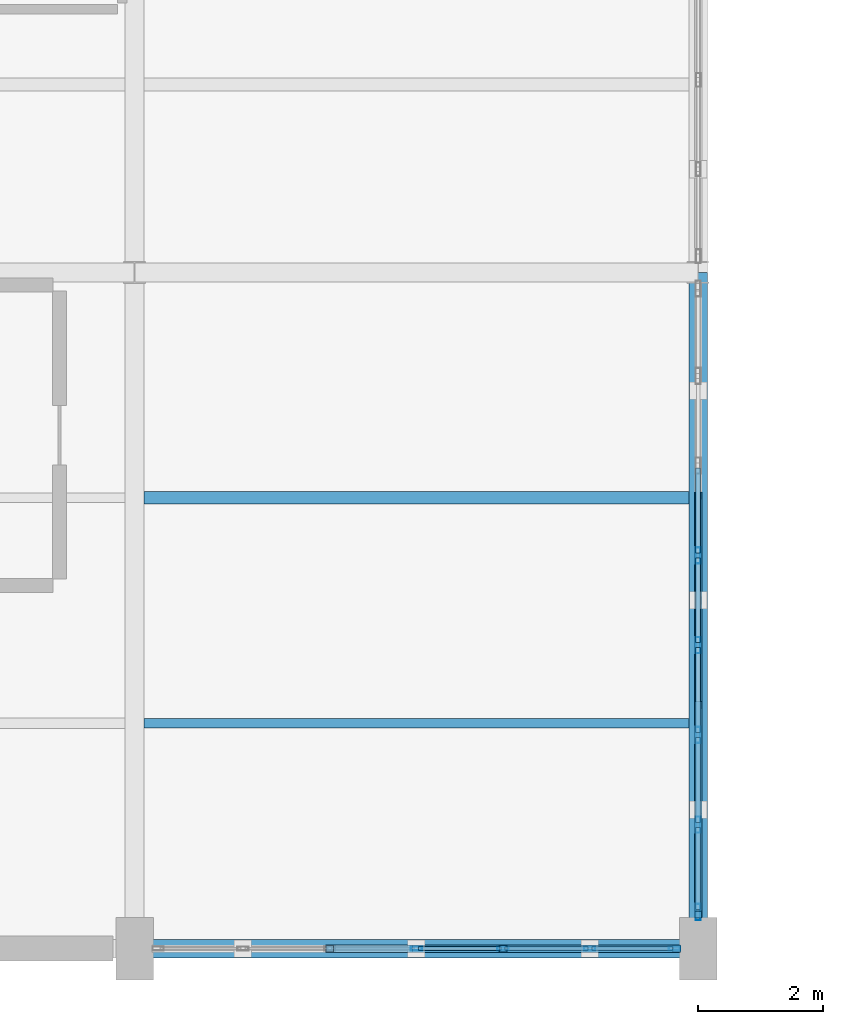
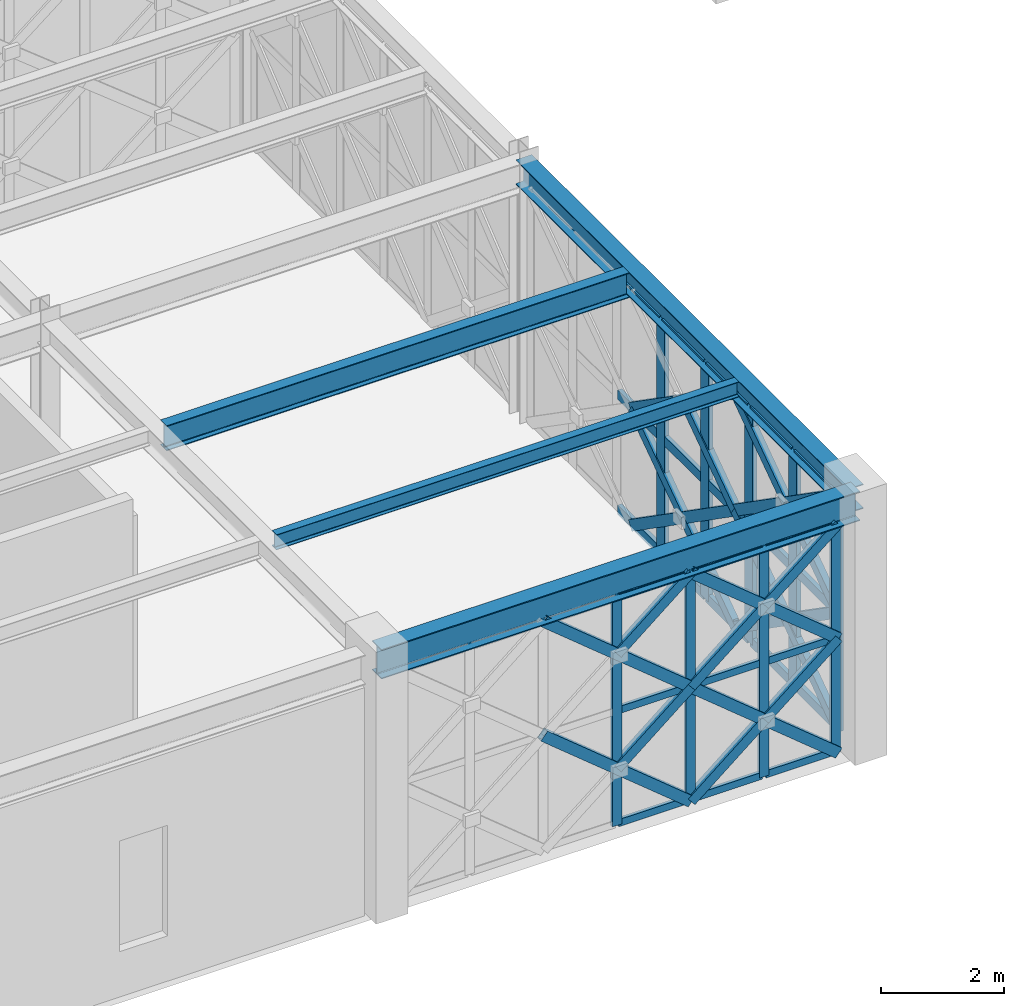
# One storey, part 42 of 166: 54 members, 4 beams, 2 elements without a shape of their own.
"""IFC4 building model written with IfcOpenShell, lengths in metres."""

from ifc_helpers import new_model, si_unit, direction, frame, origin, origin_2d, place, context, subcontext, project, spatial, hollow_rectangle, i_section, extrude, material, material_profile, profile_set, type_object, element, aggregate, save


model = new_model("IFC4")

# Units and contexts
model_context = context("Model", 3, precision=1e-05, world=origin(), true_north=direction((0.0, 1.0)))
body_context = subcontext(model_context, "Body", "Model", "MODEL_VIEW")
ifc_project = project(units=[si_unit("LENGTHUNIT", "METRE"), si_unit("AREAUNIT", "SQUARE_METRE"), si_unit("VOLUMEUNIT", "CUBIC_METRE"), si_unit("PLANEANGLEUNIT", "RADIAN"), si_unit("MASSUNIT", "GRAM", prefix="KILO")], contexts=[model_context])

# Site, building, storey
site_placement = place(None, origin())
site = spatial("IfcSite", under=ifc_project, at=site_placement, CompositionType="ELEMENT")
building_placement = place(site_placement, origin())
building = spatial("IfcBuilding", under=site, at=building_placement, Name="Haizhuo Lancet Aquarium", CompositionType="ELEMENT")
storey_placement = place(building_placement, frame((0.0, 0.0, 5.39990234375)))
storey = spatial("IfcBuildingStorey", under=building, at=storey_placement, Name="L01", CompositionType="ELEMENT", Elevation=5.39990234375)

# Beams
ifc_material_1 = material(Name="Steel S355", Category="steel")
ifc_material_profile_1 = material_profile(ifc_material_1, i_section(OverallWidth=0.300048828125, OverallDepth=0.488037109375, WebThickness=0.010986328125, FlangeThickness=0.01806640625, FilletRadius=0.02392578125, at=origin_2d()), Name="HM 488x300x11x18")
ifc_profile_set_1 = profile_set([ifc_material_profile_1], Name="Steel S355")
beam_type_1 = type_object("IfcBeamType", Name="BM-ST-HM488", PredefinedType="BEAM", material=ifc_profile_set_1)
beam_1_placement = place(storey_placement, frame((18.0, -55.800048828125, 4.89599609375), z_axis=(0.0, 1.0, 0.0), x_axis=(-1.0, 0.0, 0.0)))
element("IfcBeam", 1, at=beam_1_placement, inside=storey, type_object=beam_type_1, Name="L01 V4 primary girder BM-L01-V4-026", PredefinedType="BEAM", context=body_context, shape_type="SweptSolid", body=[
    extrude(i_section(OverallWidth=0.300048828125, OverallDepth=0.488037109375, WebThickness=0.010986328125, FlangeThickness=0.01806640625, FilletRadius=0.02392578125, at=origin_2d()), origin(), (0.0, 0.0, 1.0), 10.800048828125),
])
ifc_material_profile_2 = material_profile(ifc_material_1, i_section(OverallWidth=0.300048828125, OverallDepth=0.587890625, WebThickness=0.011962890625, FlangeThickness=0.02001953125, FilletRadius=0.02587890625, at=origin_2d()), Name="HM 588x300x12x20")
ifc_profile_set_2 = profile_set([ifc_material_profile_2], Name="Steel S355")
beam_type_2 = type_object("IfcBeamType", Name="BM-ST-HM588", PredefinedType="BEAM", material=ifc_profile_set_2)
beam_2_placement = place(storey_placement, frame((9.0, -55.800048828125, 4.84619140625), z_axis=(1.0, 0.0, 0.0), x_axis=(0.0, 1.0, 0.0)))
element("IfcBeam", 2, at=beam_2_placement, inside=storey, type_object=beam_type_2, Name="L01 V4 primary girder BM-L01-V4-021", PredefinedType="BEAM", context=body_context, shape_type="SweptSolid", body=[
    extrude(i_section(OverallWidth=0.300048828125, OverallDepth=0.587890625, WebThickness=0.011962890625, FlangeThickness=0.02001953125, FilletRadius=0.02587890625, at=origin_2d()), origin(), (0.0, 0.0, 1.0), 9.0),
])

# Curtain wall, members
ifc_material_2 = material(Name="Aluminium 6063-T6", Category="aluminium")
curtain_wall_type_1 = type_object("IfcCurtainWallType", Name="CWO-8310x4550", PredefinedType="NOTDEFINED", material=ifc_material_2)
curtain_wall_1_placement = place(storey_placement, origin())
curtain_wall_1 = element("IfcCurtainWall", 3, at=curtain_wall_1_placement, inside=storey, type_object=curtain_wall_type_1, Name="L01 curtain wall CW-V4-L01-097", PredefinedType="NOTDEFINED")
ifc_material_profile_3 = material_profile(ifc_material_2, hollow_rectangle(XDim=0.06494140625, YDim=0.179931640625, WallThickness=0.00390625, at=origin_2d()), Name="ALU-M 65x180x4")
ifc_profile_set_3 = profile_set([ifc_material_profile_3], Name="Aluminium 6063-T6")
member_type_1 = type_object("IfcMemberType", Name="CW-MUL-1", PredefinedType="MULLION", material=ifc_profile_set_3)
member_1_placement = place(storey_placement, frame((17.623046875, -55.800048828125, 0.0), z_axis=(0.0, 0.0, 1.0), x_axis=(0.0, -1.0, 0.0)))
member_1 = element("IfcMember", 4, at=member_1_placement, type_object=member_type_1, Name="CWO-83x45 mullion 1", PredefinedType="MULLION", context=body_context, shape_type="SweptSolid", body=[
    extrude(hollow_rectangle(XDim=0.06494140625, YDim=0.179931640625, WallThickness=0.00390625, at=origin_2d()), origin(), (0.0, 0.0, 1.0), 4.552001953125),
])
member_2_placement = place(storey_placement, frame((16.27001953125, -55.800048828125, 0.0), z_axis=(0.0, 0.0, 1.0), x_axis=(0.0, -1.0, 0.0)))
member_2 = element("IfcMember", 5, at=member_2_placement, type_object=member_type_1, Name="CWO-83x45 mullion 2", PredefinedType="MULLION", context=body_context, shape_type="SweptSolid", body=[
    extrude(hollow_rectangle(XDim=0.06494140625, YDim=0.179931640625, WallThickness=0.00390625, at=origin_2d()), origin(), (0.0, 0.0, 1.0), 4.552001953125),
])
member_3_placement = place(storey_placement, frame((14.885009765625, -55.800048828125, 0.0), z_axis=(0.0, 0.0, 1.0), x_axis=(0.0, -1.0, 0.0)))
member_3 = element("IfcMember", 6, at=member_3_placement, type_object=member_type_1, Name="CWO-83x45 mullion 3", PredefinedType="MULLION", context=body_context, shape_type="SweptSolid", body=[
    extrude(hollow_rectangle(XDim=0.06494140625, YDim=0.179931640625, WallThickness=0.00390625, at=origin_2d()), origin(), (0.0, 0.0, 1.0), 4.552001953125),
])
member_4_placement = place(storey_placement, frame((13.5, -55.800048828125, 0.0), z_axis=(0.0, 0.0, 1.0), x_axis=(0.0, -1.0, 0.0)))
member_4 = element("IfcMember", 7, at=member_4_placement, type_object=member_type_1, Name="CWO-83x45 mullion 4", PredefinedType="MULLION", context=body_context, shape_type="SweptSolid", body=[
    extrude(hollow_rectangle(XDim=0.06494140625, YDim=0.179931640625, WallThickness=0.00390625, at=origin_2d()), origin(), (0.0, 0.0, 1.0), 4.552001953125),
])

curtain_wall_type_2 = type_object("IfcCurtainWallType", Name="CWO-10040x4650", PredefinedType="NOTDEFINED", material=ifc_material_2)
curtain_wall_2_placement = place(storey_placement, origin())
curtain_wall_2 = element("IfcCurtainWall", 8, at=curtain_wall_2_placement, inside=storey, type_object=curtain_wall_type_2, Name="L01 curtain wall CW-V4-L01-096", PredefinedType="NOTDEFINED")
ifc_material_profile_4 = material_profile(ifc_material_2, hollow_rectangle(XDim=0.080078125, YDim=0.260009765625, WallThickness=0.0048828125, at=origin_2d()), Name="ALU-M 80x260x5")
ifc_profile_set_4 = profile_set([ifc_material_profile_4], Name="Aluminium 6063-T6")
member_type_2 = type_object("IfcMemberType", Name="CW-MUL-3", PredefinedType="MULLION", material=ifc_profile_set_4)
member_5_placement = place(storey_placement, frame((18.0, -49.52099609375, 0.0), z_axis=(0.0, 0.0, 1.0), x_axis=(1.0, 0.0, 0.0)))
member_5 = element("IfcMember", 9, at=member_5_placement, type_object=member_type_2, Name="CWO-100x46 mullion 4", PredefinedType="MULLION", context=body_context, shape_type="SweptSolid", body=[
    extrude(hollow_rectangle(XDim=0.080078125, YDim=0.260009765625, WallThickness=0.0048828125, at=origin_2d()), origin(), (0.0, 0.0, 1.0), 4.652099609375),
])
member_6_placement = place(storey_placement, frame((18.0, -50.9541015625, 0.0), z_axis=(0.0, 0.0, 1.0), x_axis=(1.0, 0.0, 0.0)))
member_6 = element("IfcMember", 10, at=member_6_placement, type_object=member_type_2, Name="CWO-100x46 mullion 5", PredefinedType="MULLION", context=body_context, shape_type="SweptSolid", body=[
    extrude(hollow_rectangle(XDim=0.080078125, YDim=0.260009765625, WallThickness=0.0048828125, at=origin_2d()), origin(), (0.0, 0.0, 1.0), 4.652099609375),
])
member_7_placement = place(storey_placement, frame((18.0, -52.387939453125, 0.0), z_axis=(0.0, 0.0, 1.0), x_axis=(1.0, 0.0, 0.0)))
member_7 = element("IfcMember", 11, at=member_7_placement, type_object=member_type_2, Name="CWO-100x46 mullion 6", PredefinedType="MULLION", context=body_context, shape_type="SweptSolid", body=[
    extrude(hollow_rectangle(XDim=0.080078125, YDim=0.260009765625, WallThickness=0.0048828125, at=origin_2d()), origin(), (0.0, 0.0, 1.0), 4.652099609375),
])
member_8_placement = place(storey_placement, frame((18.0, -53.821044921875, 0.0), z_axis=(0.0, 0.0, 1.0), x_axis=(1.0, 0.0, 0.0)))
member_8 = element("IfcMember", 12, at=member_8_placement, type_object=member_type_2, Name="CWO-100x46 mullion 7", PredefinedType="MULLION", context=body_context, shape_type="SweptSolid", body=[
    extrude(hollow_rectangle(XDim=0.080078125, YDim=0.260009765625, WallThickness=0.0048828125, at=origin_2d()), origin(), (0.0, 0.0, 1.0), 4.652099609375),
])
member_9_placement = place(storey_placement, frame((18.0, -55.215087890625, 0.0), z_axis=(0.0, 0.0, 1.0), x_axis=(1.0, 0.0, 0.0)))
member_9 = element("IfcMember", 13, at=member_9_placement, type_object=member_type_2, Name="CWO-100x46 mullion 8", PredefinedType="MULLION", context=body_context, shape_type="SweptSolid", body=[
    extrude(hollow_rectangle(XDim=0.080078125, YDim=0.260009765625, WallThickness=0.0048828125, at=origin_2d()), origin(), (0.0, 0.0, 1.0), 4.652099609375),
])

# Member
ifc_material_profile_5 = material_profile(ifc_material_2, hollow_rectangle(XDim=0.06494140625, YDim=0.139892578125, WallThickness=0.00390625, at=origin_2d()), Name="ALU-T 65x140x4")
ifc_profile_set_5 = profile_set([ifc_material_profile_5], Name="Aluminium 6063-T6")
member_type_3 = type_object("IfcMemberType", Name="CW-TRN-1", PredefinedType="NOTDEFINED", material=ifc_profile_set_5)
member_10_placement = place(storey_placement, frame((17.590087890625, -55.800048828125, 0.033203125), z_axis=(-1.0, 0.0, 0.0), x_axis=(0.0, -1.0, 0.0)))
member_10 = element("IfcMember", 14, at=member_10_placement, type_object=member_type_3, Name="CWO-83x45 transom 1.1", ObjectType="TRANSOM", PredefinedType="USERDEFINED", context=body_context, shape_type="SweptSolid", body=[
    extrude(hollow_rectangle(XDim=0.06494140625, YDim=0.139892578125, WallThickness=0.00390625, at=origin_2d()), origin(), (0.0, 0.0, 1.0), 1.287109375),
])

member_11_placement = place(storey_placement, frame((17.590087890625, -55.800048828125, 2.276123046875), z_axis=(-1.0, 0.0, 0.0), x_axis=(0.0, -1.0, 0.0)))
member_11 = element("IfcMember", 15, at=member_11_placement, type_object=member_type_3, Name="CWO-83x45 transom 1.2", ObjectType="TRANSOM", PredefinedType="USERDEFINED", context=body_context, shape_type="SweptSolid", body=[
    extrude(hollow_rectangle(XDim=0.06494140625, YDim=0.139892578125, WallThickness=0.00390625, at=origin_2d()), origin(), (0.0, 0.0, 1.0), 1.287109375),
])

member_12_placement = place(storey_placement, frame((17.590087890625, -55.800048828125, 4.51904296875), z_axis=(-1.0, 0.0, 0.0), x_axis=(0.0, -1.0, 0.0)))
member_12 = element("IfcMember", 16, at=member_12_placement, type_object=member_type_3, Name="CWO-83x45 transom 1.3", ObjectType="TRANSOM", PredefinedType="USERDEFINED", context=body_context, shape_type="SweptSolid", body=[
    extrude(hollow_rectangle(XDim=0.06494140625, YDim=0.139892578125, WallThickness=0.00390625, at=origin_2d()), origin(), (0.0, 0.0, 1.0), 1.287109375),
])

member_13_placement = place(storey_placement, frame((16.238037109375, -55.800048828125, 0.033203125), z_axis=(-1.0, 0.0, 0.0), x_axis=(0.0, -1.0, 0.0)))
member_13 = element("IfcMember", 17, at=member_13_placement, type_object=member_type_3, Name="CWO-83x45 transom 2.1", ObjectType="TRANSOM", PredefinedType="USERDEFINED", context=body_context, shape_type="SweptSolid", body=[
    extrude(hollow_rectangle(XDim=0.06494140625, YDim=0.139892578125, WallThickness=0.00390625, at=origin_2d()), origin(), (0.0, 0.0, 1.0), 1.320068359375),
])

member_14_placement = place(storey_placement, frame((16.238037109375, -55.800048828125, 2.276123046875), z_axis=(-1.0, 0.0, 0.0), x_axis=(0.0, -1.0, 0.0)))
member_14 = element("IfcMember", 18, at=member_14_placement, type_object=member_type_3, Name="CWO-83x45 transom 2.2", ObjectType="TRANSOM", PredefinedType="USERDEFINED", context=body_context, shape_type="SweptSolid", body=[
    extrude(hollow_rectangle(XDim=0.06494140625, YDim=0.139892578125, WallThickness=0.00390625, at=origin_2d()), origin(), (0.0, 0.0, 1.0), 1.320068359375),
])

member_15_placement = place(storey_placement, frame((16.238037109375, -55.800048828125, 4.51904296875), z_axis=(-1.0, 0.0, 0.0), x_axis=(0.0, -1.0, 0.0)))
member_15 = element("IfcMember", 19, at=member_15_placement, type_object=member_type_3, Name="CWO-83x45 transom 2.3", ObjectType="TRANSOM", PredefinedType="USERDEFINED", context=body_context, shape_type="SweptSolid", body=[
    extrude(hollow_rectangle(XDim=0.06494140625, YDim=0.139892578125, WallThickness=0.00390625, at=origin_2d()), origin(), (0.0, 0.0, 1.0), 1.320068359375),
])

member_16_placement = place(storey_placement, frame((14.85302734375, -55.800048828125, 0.033203125), z_axis=(-1.0, 0.0, 0.0), x_axis=(0.0, -1.0, 0.0)))
member_16 = element("IfcMember", 20, at=member_16_placement, type_object=member_type_3, Name="CWO-83x45 transom 3.1", ObjectType="TRANSOM", PredefinedType="USERDEFINED", context=body_context, shape_type="SweptSolid", body=[
    extrude(hollow_rectangle(XDim=0.06494140625, YDim=0.139892578125, WallThickness=0.00390625, at=origin_2d()), origin(), (0.0, 0.0, 1.0), 1.320068359375),
])

member_17_placement = place(storey_placement, frame((14.85302734375, -55.800048828125, 2.276123046875), z_axis=(-1.0, 0.0, 0.0), x_axis=(0.0, -1.0, 0.0)))
member_17 = element("IfcMember", 21, at=member_17_placement, type_object=member_type_3, Name="CWO-83x45 transom 3.2", ObjectType="TRANSOM", PredefinedType="USERDEFINED", context=body_context, shape_type="SweptSolid", body=[
    extrude(hollow_rectangle(XDim=0.06494140625, YDim=0.139892578125, WallThickness=0.00390625, at=origin_2d()), origin(), (0.0, 0.0, 1.0), 1.320068359375),
])

member_18_placement = place(storey_placement, frame((14.85302734375, -55.800048828125, 4.51904296875), z_axis=(-1.0, 0.0, 0.0), x_axis=(0.0, -1.0, 0.0)))
member_18 = element("IfcMember", 22, at=member_18_placement, type_object=member_type_3, Name="CWO-83x45 transom 3.3", ObjectType="TRANSOM", PredefinedType="USERDEFINED", context=body_context, shape_type="SweptSolid", body=[
    extrude(hollow_rectangle(XDim=0.06494140625, YDim=0.139892578125, WallThickness=0.00390625, at=origin_2d()), origin(), (0.0, 0.0, 1.0), 1.320068359375),
])

aggregate(curtain_wall_1, [member_1, member_2, member_3, member_4, member_10, member_11, member_12, member_13, member_14, member_15, member_16, member_17, member_18])

ifc_material_profile_6 = material_profile(ifc_material_2, hollow_rectangle(XDim=0.080078125, YDim=0.18994140625, WallThickness=0.0048828125, at=origin_2d()), Name="ALU-T 80x190x5")
ifc_profile_set_6 = profile_set([ifc_material_profile_6], Name="Aluminium 6063-T6")
member_type_4 = type_object("IfcMemberType", Name="CW-TRN-3", PredefinedType="NOTDEFINED", material=ifc_profile_set_6)
member_19_placement = place(storey_placement, frame((18.0, -48.126953125, 0.0400390625), z_axis=(0.0, -1.0, 0.0), x_axis=(1.0, 0.0, 0.0)))
member_19 = element("IfcMember", 23, at=member_19_placement, type_object=member_type_4, Name="CWO-100x46 transom 3.1", ObjectType="TRANSOM", PredefinedType="USERDEFINED", context=body_context, shape_type="SweptSolid", body=[
    extrude(hollow_rectangle(XDim=0.080078125, YDim=0.18994140625, WallThickness=0.0048828125, at=origin_2d()), origin(), (0.0, 0.0, 1.0), 1.35400390625),
])

member_20_placement = place(storey_placement, frame((18.0, -48.126953125, 2.326171875), z_axis=(0.0, -1.0, 0.0), x_axis=(1.0, 0.0, 0.0)))
member_20 = element("IfcMember", 24, at=member_20_placement, type_object=member_type_4, Name="CWO-100x46 transom 3.2", ObjectType="TRANSOM", PredefinedType="USERDEFINED", context=body_context, shape_type="SweptSolid", body=[
    extrude(hollow_rectangle(XDim=0.080078125, YDim=0.18994140625, WallThickness=0.0048828125, at=origin_2d()), origin(), (0.0, 0.0, 1.0), 1.35400390625),
])

member_21_placement = place(storey_placement, frame((18.0, -48.126953125, 4.612060546875), z_axis=(0.0, -1.0, 0.0), x_axis=(1.0, 0.0, 0.0)))
member_21 = element("IfcMember", 25, at=member_21_placement, type_object=member_type_4, Name="CWO-100x46 transom 3.3", ObjectType="TRANSOM", PredefinedType="USERDEFINED", context=body_context, shape_type="SweptSolid", body=[
    extrude(hollow_rectangle(XDim=0.080078125, YDim=0.18994140625, WallThickness=0.0048828125, at=origin_2d()), origin(), (0.0, 0.0, 1.0), 1.35400390625),
])

member_22_placement = place(storey_placement, frame((18.0, -49.56103515625, 0.0400390625), z_axis=(0.0, -1.0, 0.0), x_axis=(1.0, 0.0, 0.0)))
member_22 = element("IfcMember", 26, at=member_22_placement, type_object=member_type_4, Name="CWO-100x46 transom 4.1", ObjectType="TRANSOM", PredefinedType="USERDEFINED", context=body_context, shape_type="SweptSolid", body=[
    extrude(hollow_rectangle(XDim=0.080078125, YDim=0.18994140625, WallThickness=0.0048828125, at=origin_2d()), origin(), (0.0, 0.0, 1.0), 1.35302734375),
])

member_23_placement = place(storey_placement, frame((18.0, -49.56103515625, 2.326171875), z_axis=(0.0, -1.0, 0.0), x_axis=(1.0, 0.0, 0.0)))
member_23 = element("IfcMember", 27, at=member_23_placement, type_object=member_type_4, Name="CWO-100x46 transom 4.2", ObjectType="TRANSOM", PredefinedType="USERDEFINED", context=body_context, shape_type="SweptSolid", body=[
    extrude(hollow_rectangle(XDim=0.080078125, YDim=0.18994140625, WallThickness=0.0048828125, at=origin_2d()), origin(), (0.0, 0.0, 1.0), 1.35302734375),
])

member_24_placement = place(storey_placement, frame((18.0, -49.56103515625, 4.612060546875), z_axis=(0.0, -1.0, 0.0), x_axis=(1.0, 0.0, 0.0)))
member_24 = element("IfcMember", 28, at=member_24_placement, type_object=member_type_4, Name="CWO-100x46 transom 4.3", ObjectType="TRANSOM", PredefinedType="USERDEFINED", context=body_context, shape_type="SweptSolid", body=[
    extrude(hollow_rectangle(XDim=0.080078125, YDim=0.18994140625, WallThickness=0.0048828125, at=origin_2d()), origin(), (0.0, 0.0, 1.0), 1.35302734375),
])

member_25_placement = place(storey_placement, frame((18.0, -50.993896484375, 0.0400390625), z_axis=(0.0, -1.0, 0.0), x_axis=(1.0, 0.0, 0.0)))
member_25 = element("IfcMember", 29, at=member_25_placement, type_object=member_type_4, Name="CWO-100x46 transom 5.1", ObjectType="TRANSOM", PredefinedType="USERDEFINED", context=body_context, shape_type="SweptSolid", body=[
    extrude(hollow_rectangle(XDim=0.080078125, YDim=0.18994140625, WallThickness=0.0048828125, at=origin_2d()), origin(), (0.0, 0.0, 1.0), 1.35400390625),
])

member_26_placement = place(storey_placement, frame((18.0, -50.993896484375, 2.326171875), z_axis=(0.0, -1.0, 0.0), x_axis=(1.0, 0.0, 0.0)))
member_26 = element("IfcMember", 30, at=member_26_placement, type_object=member_type_4, Name="CWO-100x46 transom 5.2", ObjectType="TRANSOM", PredefinedType="USERDEFINED", context=body_context, shape_type="SweptSolid", body=[
    extrude(hollow_rectangle(XDim=0.080078125, YDim=0.18994140625, WallThickness=0.0048828125, at=origin_2d()), origin(), (0.0, 0.0, 1.0), 1.35400390625),
])

member_27_placement = place(storey_placement, frame((18.0, -50.993896484375, 4.612060546875), z_axis=(0.0, -1.0, 0.0), x_axis=(1.0, 0.0, 0.0)))
member_27 = element("IfcMember", 31, at=member_27_placement, type_object=member_type_4, Name="CWO-100x46 transom 5.3", ObjectType="TRANSOM", PredefinedType="USERDEFINED", context=body_context, shape_type="SweptSolid", body=[
    extrude(hollow_rectangle(XDim=0.080078125, YDim=0.18994140625, WallThickness=0.0048828125, at=origin_2d()), origin(), (0.0, 0.0, 1.0), 1.35400390625),
])

member_28_placement = place(storey_placement, frame((18.0, -52.427978515625, 0.0400390625), z_axis=(0.0, -1.0, 0.0), x_axis=(1.0, 0.0, 0.0)))
member_28 = element("IfcMember", 32, at=member_28_placement, type_object=member_type_4, Name="CWO-100x46 transom 6.1", ObjectType="TRANSOM", PredefinedType="USERDEFINED", context=body_context, shape_type="SweptSolid", body=[
    extrude(hollow_rectangle(XDim=0.080078125, YDim=0.18994140625, WallThickness=0.0048828125, at=origin_2d()), origin(), (0.0, 0.0, 1.0), 1.35302734375),
])

member_29_placement = place(storey_placement, frame((18.0, -52.427978515625, 2.326171875), z_axis=(0.0, -1.0, 0.0), x_axis=(1.0, 0.0, 0.0)))
member_29 = element("IfcMember", 33, at=member_29_placement, type_object=member_type_4, Name="CWO-100x46 transom 6.2", ObjectType="TRANSOM", PredefinedType="USERDEFINED", context=body_context, shape_type="SweptSolid", body=[
    extrude(hollow_rectangle(XDim=0.080078125, YDim=0.18994140625, WallThickness=0.0048828125, at=origin_2d()), origin(), (0.0, 0.0, 1.0), 1.35302734375),
])

member_30_placement = place(storey_placement, frame((18.0, -52.427978515625, 4.612060546875), z_axis=(0.0, -1.0, 0.0), x_axis=(1.0, 0.0, 0.0)))
member_30 = element("IfcMember", 34, at=member_30_placement, type_object=member_type_4, Name="CWO-100x46 transom 6.3", ObjectType="TRANSOM", PredefinedType="USERDEFINED", context=body_context, shape_type="SweptSolid", body=[
    extrude(hollow_rectangle(XDim=0.080078125, YDim=0.18994140625, WallThickness=0.0048828125, at=origin_2d()), origin(), (0.0, 0.0, 1.0), 1.35302734375),
])

member_31_placement = place(storey_placement, frame((18.0, -53.861083984375, 0.0400390625), z_axis=(0.0, -1.0, 0.0), x_axis=(1.0, 0.0, 0.0)))
member_31 = element("IfcMember", 35, at=member_31_placement, type_object=member_type_4, Name="CWO-100x46 transom 7.1", ObjectType="TRANSOM", PredefinedType="USERDEFINED", context=body_context, shape_type="SweptSolid", body=[
    extrude(hollow_rectangle(XDim=0.080078125, YDim=0.18994140625, WallThickness=0.0048828125, at=origin_2d()), origin(), (0.0, 0.0, 1.0), 1.31396484375),
])

member_32_placement = place(storey_placement, frame((18.0, -53.861083984375, 2.326171875), z_axis=(0.0, -1.0, 0.0), x_axis=(1.0, 0.0, 0.0)))
member_32 = element("IfcMember", 36, at=member_32_placement, type_object=member_type_4, Name="CWO-100x46 transom 7.2", ObjectType="TRANSOM", PredefinedType="USERDEFINED", context=body_context, shape_type="SweptSolid", body=[
    extrude(hollow_rectangle(XDim=0.080078125, YDim=0.18994140625, WallThickness=0.0048828125, at=origin_2d()), origin(), (0.0, 0.0, 1.0), 1.31396484375),
])

member_33_placement = place(storey_placement, frame((18.0, -53.861083984375, 4.612060546875), z_axis=(0.0, -1.0, 0.0), x_axis=(1.0, 0.0, 0.0)))
member_33 = element("IfcMember", 37, at=member_33_placement, type_object=member_type_4, Name="CWO-100x46 transom 7.3", ObjectType="TRANSOM", PredefinedType="USERDEFINED", context=body_context, shape_type="SweptSolid", body=[
    extrude(hollow_rectangle(XDim=0.080078125, YDim=0.18994140625, WallThickness=0.0048828125, at=origin_2d()), origin(), (0.0, 0.0, 1.0), 1.31396484375),
])

aggregate(curtain_wall_2, [member_5, member_6, member_7, member_8, member_9, member_19, member_20, member_21, member_22, member_23, member_24, member_25, member_26, member_27, member_28, member_29, member_30, member_31, member_32, member_33])

# Beams
ifc_material_profile_7 = material_profile(ifc_material_1, i_section(OverallWidth=0.14990234375, OverallDepth=0.300048828125, WebThickness=0.006591796875, FlangeThickness=0.009033203125, FilletRadius=0.012939453125, at=origin_2d()), Name="HN 300x150x6.5x9")
ifc_profile_set_7 = profile_set([ifc_material_profile_7], Name="Steel S355")
beam_type_3 = type_object("IfcBeamType", Name="JST-ST-HN300", PredefinedType="JOIST", material=ifc_profile_set_7)
beam_3_placement = place(storey_placement, frame((9.14990234375, -52.199951171875, 4.989990234375), z_axis=(1.0, 0.0, 0.0), x_axis=(0.0, 1.0, 0.0)))
element("IfcBeam", 38, at=beam_3_placement, inside=storey, type_object=beam_type_3, Name="L01 V4 secondary floor joist 17", PredefinedType="JOIST", context=body_context, shape_type="SweptSolid", body=[
    extrude(i_section(OverallWidth=0.14990234375, OverallDepth=0.300048828125, WebThickness=0.006591796875, FlangeThickness=0.009033203125, FilletRadius=0.012939453125, at=origin_2d()), origin(), (0.0, 0.0, 1.0), 8.7001953125),
])
ifc_material_profile_8 = material_profile(ifc_material_1, i_section(OverallWidth=0.199951171875, OverallDepth=0.5, WebThickness=0.010009765625, FlangeThickness=0.01611328125, FilletRadius=0.02001953125, at=origin_2d()), Name="HN 500x200x10x16")
ifc_profile_set_8 = profile_set([ifc_material_profile_8], Name="Steel S355")
beam_type_4 = type_object("IfcBeamType", Name="JST-ST-HN500", PredefinedType="JOIST", material=ifc_profile_set_8)
beam_4_placement = place(storey_placement, frame((9.14990234375, -48.60009765625, 4.89013671875), z_axis=(1.0, 0.0, 0.0), x_axis=(0.0, 1.0, 0.0)))
element("IfcBeam", 39, at=beam_4_placement, inside=storey, type_object=beam_type_4, Name="L01 V4 secondary floor joist 18", PredefinedType="JOIST", context=body_context, shape_type="SweptSolid", body=[
    extrude(i_section(OverallWidth=0.199951171875, OverallDepth=0.5, WebThickness=0.010009765625, FlangeThickness=0.01611328125, FilletRadius=0.02001953125, at=origin_2d()), origin(), (0.0, 0.0, 1.0), 8.7001953125),
])

# Members
ifc_material_profile_9 = material_profile(ifc_material_1, hollow_rectangle(XDim=0.1201171875, YDim=0.199951171875, WallThickness=0.008056640625, at=origin_2d()), Name="RHS 120x200x8")
ifc_profile_set_9 = profile_set([ifc_material_profile_9], Name="Steel S355")
member_type_5 = type_object("IfcMemberType", Name="MEM-LB-RHS120x200", PredefinedType="BRACE", material=ifc_profile_set_9)
member_34_placement = place(storey_placement, frame((18.0, -48.56494140625, 0.0), z_axis=(0.0, -0.820993128735, 0.570938072447), x_axis=(1.0, 0.0, 0.0)))
element("IfcMember", 40, at=member_34_placement, inside=storey, type_object=member_type_5, Name="Gothic lancet continuous diagonal brace CW-V4-L01-096 3A", PredefinedType="BRACE", context=body_context, shape_type="SweptSolid", body=[
    extrude(hollow_rectangle(XDim=0.1201171875, YDim=0.199951171875, WallThickness=0.008056640625, at=origin_2d()), origin(), (0.0, 0.0, 1.0), 4.07421875),
])
member_35_placement = place(storey_placement, frame((18.0, -51.909912109375, 0.0), z_axis=(0.0, 0.821051714268, 0.570853818852), x_axis=(-1.0, 0.0, 0.0)))
element("IfcMember", 41, at=member_35_placement, inside=storey, type_object=member_type_5, Name="Gothic lancet split diagonal brace CW-V4-L01-096 3B1", PredefinedType="BRACE", context=body_context, shape_type="SweptSolid", body=[
    extrude(hollow_rectangle(XDim=0.1201171875, YDim=0.199951171875, WallThickness=0.008056640625, at=origin_2d()), origin(), (0.0, 0.0, 1.0), 2.037353515625),
])
member_36_placement = place(storey_placement, frame((18.0, -50.237060546875, 1.1630859375), z_axis=(0.0, 0.820934517258, 0.5710223449), x_axis=(-1.0, 0.0, 0.0)))
element("IfcMember", 42, at=member_36_placement, inside=storey, type_object=member_type_5, Name="Gothic lancet split diagonal brace CW-V4-L01-096 3B2", PredefinedType="BRACE", context=body_context, shape_type="SweptSolid", body=[
    extrude(hollow_rectangle(XDim=0.1201171875, YDim=0.199951171875, WallThickness=0.008056640625, at=origin_2d()), origin(), (0.0, 0.0, 1.0), 2.036865234375),
])
member_37_placement = place(storey_placement, frame((18.0, -48.56494140625, 2.326171875), z_axis=(0.0, -0.821021216377, 0.570897681076), x_axis=(1.0, 0.0, 0.0)))
element("IfcMember", 43, at=member_37_placement, inside=storey, type_object=member_type_5, Name="Gothic lancet continuous diagonal brace CW-V4-L01-096 4A", PredefinedType="BRACE", context=body_context, shape_type="SweptSolid", body=[
    extrude(hollow_rectangle(XDim=0.1201171875, YDim=0.199951171875, WallThickness=0.008056640625, at=origin_2d()), origin(), (0.0, 0.0, 1.0), 4.07421875),
])
member_38_placement = place(storey_placement, frame((18.0, -51.909912109375, 2.326171875), z_axis=(0.0, 0.821107876913, 0.570773032361), x_axis=(-1.0, 0.0, 0.0)))
element("IfcMember", 44, at=member_38_placement, inside=storey, type_object=member_type_5, Name="Gothic lancet split diagonal brace CW-V4-L01-096 4B1", PredefinedType="BRACE", context=body_context, shape_type="SweptSolid", body=[
    extrude(hollow_rectangle(XDim=0.1201171875, YDim=0.199951171875, WallThickness=0.008056640625, at=origin_2d()), origin(), (0.0, 0.0, 1.0), 2.037353515625),
])
member_39_placement = place(storey_placement, frame((18.0, -51.909912109375, 0.0), z_axis=(0.0, -0.820993128735, 0.570938072447), x_axis=(1.0, 0.0, 0.0)))
element("IfcMember", 45, at=member_39_placement, inside=storey, type_object=member_type_5, Name="Gothic lancet continuous diagonal brace CW-V4-L01-096 5A", PredefinedType="BRACE", context=body_context, shape_type="SweptSolid", body=[
    extrude(hollow_rectangle(XDim=0.1201171875, YDim=0.199951171875, WallThickness=0.008056640625, at=origin_2d()), origin(), (0.0, 0.0, 1.0), 4.07421875),
])
member_40_placement = place(storey_placement, frame((18.0, -55.2548828125, 0.0), z_axis=(0.0, 0.821051714268, 0.570853818852), x_axis=(-1.0, 0.0, 0.0)))
element("IfcMember", 46, at=member_40_placement, inside=storey, type_object=member_type_5, Name="Gothic lancet split diagonal brace CW-V4-L01-096 5B1", PredefinedType="BRACE", context=body_context, shape_type="SweptSolid", body=[
    extrude(hollow_rectangle(XDim=0.1201171875, YDim=0.199951171875, WallThickness=0.008056640625, at=origin_2d()), origin(), (0.0, 0.0, 1.0), 2.037353515625),
])
member_41_placement = place(storey_placement, frame((18.0, -53.58203125, 1.1630859375), z_axis=(0.0, 0.820934517258, 0.5710223449), x_axis=(-1.0, 0.0, 0.0)))
element("IfcMember", 47, at=member_41_placement, inside=storey, type_object=member_type_5, Name="Gothic lancet split diagonal brace CW-V4-L01-096 5B2", PredefinedType="BRACE", context=body_context, shape_type="SweptSolid", body=[
    extrude(hollow_rectangle(XDim=0.1201171875, YDim=0.199951171875, WallThickness=0.008056640625, at=origin_2d()), origin(), (0.0, 0.0, 1.0), 2.036865234375),
])
member_42_placement = place(storey_placement, frame((18.0, -51.909912109375, 2.326171875), z_axis=(0.0, -0.821021216377, 0.570897681076), x_axis=(1.0, 0.0, 0.0)))
element("IfcMember", 48, at=member_42_placement, inside=storey, type_object=member_type_5, Name="Gothic lancet continuous diagonal brace CW-V4-L01-096 6A", PredefinedType="BRACE", context=body_context, shape_type="SweptSolid", body=[
    extrude(hollow_rectangle(XDim=0.1201171875, YDim=0.199951171875, WallThickness=0.008056640625, at=origin_2d()), origin(), (0.0, 0.0, 1.0), 4.07421875),
])
member_43_placement = place(storey_placement, frame((18.0, -55.2548828125, 2.326171875), z_axis=(0.0, 0.821107876913, 0.570773032361), x_axis=(-1.0, 0.0, 0.0)))
element("IfcMember", 49, at=member_43_placement, inside=storey, type_object=member_type_5, Name="Gothic lancet split diagonal brace CW-V4-L01-096 6B1", PredefinedType="BRACE", context=body_context, shape_type="SweptSolid", body=[
    extrude(hollow_rectangle(XDim=0.1201171875, YDim=0.199951171875, WallThickness=0.008056640625, at=origin_2d()), origin(), (0.0, 0.0, 1.0), 2.037353515625),
])
member_44_placement = place(storey_placement, frame((18.0, -53.58203125, 3.489013671875), z_axis=(0.0, 0.820934517258, 0.5710223449), x_axis=(-1.0, 0.0, 0.0)))
element("IfcMember", 50, at=member_44_placement, inside=storey, type_object=member_type_5, Name="Gothic lancet split diagonal brace CW-V4-L01-096 6B2", PredefinedType="BRACE", context=body_context, shape_type="SweptSolid", body=[
    extrude(hollow_rectangle(XDim=0.1201171875, YDim=0.199951171875, WallThickness=0.008056640625, at=origin_2d()), origin(), (0.0, 0.0, 1.0), 2.036865234375),
])
member_45_placement = place(storey_placement, frame((17.655029296875, -55.800048828125, 0.0), z_axis=(-0.772623658743, 0.0, 0.634864301997), x_axis=(0.0, -1.0, 0.0)))
element("IfcMember", 51, at=member_45_placement, inside=storey, type_object=member_type_5, Name="Gothic lancet continuous diagonal brace CW-V4-L01-097 1A", PredefinedType="BRACE", context=body_context, shape_type="SweptSolid", body=[
    extrude(hollow_rectangle(XDim=0.1201171875, YDim=0.199951171875, WallThickness=0.008056640625, at=origin_2d()), origin(), (0.0, 0.0, 1.0), 3.585205078125),
])
member_46_placement = place(storey_placement, frame((14.885009765625, -55.800048828125, 0.0), z_axis=(0.77259025699, 0.0, 0.634904949425), x_axis=(0.0, 1.0, 0.0)))
element("IfcMember", 52, at=member_46_placement, inside=storey, type_object=member_type_5, Name="Gothic lancet split diagonal brace CW-V4-L01-097 1B1", PredefinedType="BRACE", context=body_context, shape_type="SweptSolid", body=[
    extrude(hollow_rectangle(XDim=0.1201171875, YDim=0.199951171875, WallThickness=0.008056640625, at=origin_2d()), origin(), (0.0, 0.0, 1.0), 1.792724609375),
])
member_47_placement = place(storey_placement, frame((16.27001953125, -55.800048828125, 1.13818359375), z_axis=(0.772657061245, 0.0, 0.634823649298), x_axis=(0.0, 1.0, 0.0)))
element("IfcMember", 53, at=member_47_placement, inside=storey, type_object=member_type_5, Name="Gothic lancet split diagonal brace CW-V4-L01-097 1B2", PredefinedType="BRACE", context=body_context, shape_type="SweptSolid", body=[
    extrude(hollow_rectangle(XDim=0.1201171875, YDim=0.199951171875, WallThickness=0.008056640625, at=origin_2d()), origin(), (0.0, 0.0, 1.0), 1.79248046875),
])
member_48_placement = place(storey_placement, frame((17.655029296875, -55.800048828125, 2.276123046875), z_axis=(-0.772657061245, 0.0, 0.634823649298), x_axis=(0.0, -1.0, 0.0)))
element("IfcMember", 54, at=member_48_placement, inside=storey, type_object=member_type_5, Name="Gothic lancet continuous diagonal brace CW-V4-L01-097 2A", PredefinedType="BRACE", context=body_context, shape_type="SweptSolid", body=[
    extrude(hollow_rectangle(XDim=0.1201171875, YDim=0.199951171875, WallThickness=0.008056640625, at=origin_2d()), origin(), (0.0, 0.0, 1.0), 3.5849609375),
])
for number, where, z_axis, x_axis, name in (
    (55, (14.885009765625, -55.800048828125, 2.276123046875), (0.772657061245, 0.0, 0.634823649298), (0.0, 1.0, 0.0), "Gothic lancet split diagonal brace CW-V4-L01-097 2B1"),
    (56, (16.27001953125, -55.800048828125, 3.4140625), (0.772657061245, 0.0, 0.634823649298), (0.0, 1.0, 0.0), "Gothic lancet split diagonal brace CW-V4-L01-097 2B2"),
):
    element("IfcMember", number, at=place(storey_placement, frame(where, z_axis=z_axis, x_axis=x_axis)), inside=storey, type_object=member_type_5, Name=name, PredefinedType="BRACE", context=body_context, shape_type="SweptSolid", body=[
        extrude(hollow_rectangle(XDim=0.1201171875, YDim=0.199951171875, WallThickness=0.008056640625, at=origin_2d()), origin(), (0.0, 0.0, 1.0), 1.79248046875),
    ])
member_49_placement = place(storey_placement, frame((14.885009765625, -55.800048828125, 0.0), z_axis=(-0.772623658743, 0.0, 0.634864301997), x_axis=(0.0, -1.0, 0.0)))
element("IfcMember", 57, at=member_49_placement, inside=storey, type_object=member_type_5, Name="Gothic lancet continuous diagonal brace CW-V4-L01-097 3A", PredefinedType="BRACE", context=body_context, shape_type="SweptSolid", body=[
    extrude(hollow_rectangle(XDim=0.1201171875, YDim=0.199951171875, WallThickness=0.008056640625, at=origin_2d()), origin(), (0.0, 0.0, 1.0), 3.585205078125),
])
member_50_placement = place(storey_placement, frame((13.5, -55.800048828125, 1.13818359375), z_axis=(0.772657061245, 0.0, 0.634823649298), x_axis=(0.0, 1.0, 0.0)))
element("IfcMember", 58, at=member_50_placement, inside=storey, type_object=member_type_5, Name="Gothic lancet split diagonal brace CW-V4-L01-097 3B2", PredefinedType="BRACE", context=body_context, shape_type="SweptSolid", body=[
    extrude(hollow_rectangle(XDim=0.1201171875, YDim=0.199951171875, WallThickness=0.008056640625, at=origin_2d()), origin(), (0.0, 0.0, 1.0), 1.79248046875),
])
member_51_placement = place(storey_placement, frame((14.885009765625, -55.800048828125, 2.276123046875), z_axis=(-0.772657061245, 0.0, 0.634823649298), x_axis=(0.0, -1.0, 0.0)))
element("IfcMember", 59, at=member_51_placement, inside=storey, type_object=member_type_5, Name="Gothic lancet continuous diagonal brace CW-V4-L01-097 4A", PredefinedType="BRACE", context=body_context, shape_type="SweptSolid", body=[
    extrude(hollow_rectangle(XDim=0.1201171875, YDim=0.199951171875, WallThickness=0.008056640625, at=origin_2d()), origin(), (0.0, 0.0, 1.0), 3.5849609375),
])
member_52_placement = place(storey_placement, frame((13.5, -55.800048828125, 3.4140625), z_axis=(0.772657061245, 0.0, 0.634823649298), x_axis=(0.0, 1.0, 0.0)))
element("IfcMember", 60, at=member_52_placement, inside=storey, type_object=member_type_5, Name="Gothic lancet split diagonal brace CW-V4-L01-097 4B2", PredefinedType="BRACE", context=body_context, shape_type="SweptSolid", body=[
    extrude(hollow_rectangle(XDim=0.1201171875, YDim=0.199951171875, WallThickness=0.008056640625, at=origin_2d()), origin(), (0.0, 0.0, 1.0), 1.79248046875),
])

save(model, "model.ifc")
